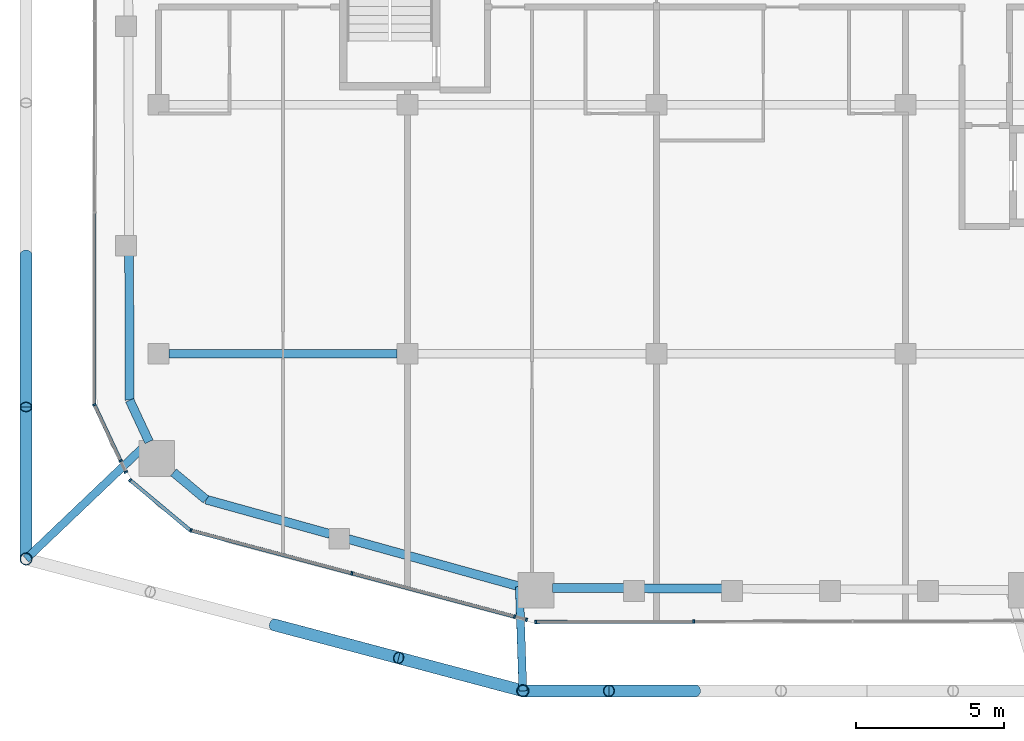
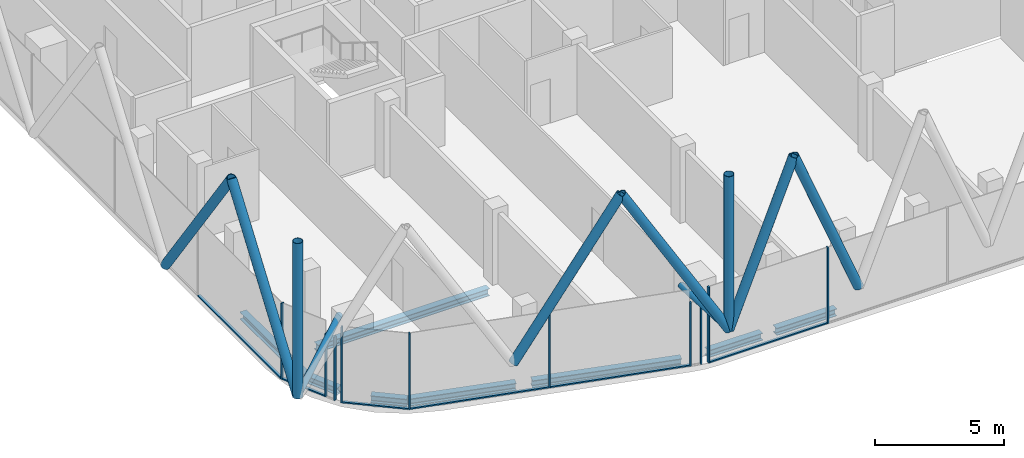
# One storey, part 2 of 27: 26 members, 8 beams, 7 elements without a shape of their own.
"""IFC4 building model written with IfcOpenShell, lengths in metres."""

from ifc_helpers import new_model, si_unit, direction, frame, origin, origin_2d, place, context, subcontext, project, spatial, rectangle, hollow_circle, i_section, extrude, material, layer, layer_set, material_profile, profile_set, type_object, element, aggregate, save


model = new_model("IFC4")

# Units and contexts
model_context = context("Model", 3, precision=1e-05, world=origin(), true_north=direction((0.0, 1.0)))
body_context = subcontext(model_context, "Body", "Model", "MODEL_VIEW")
ifc_project = project(units=[si_unit("LENGTHUNIT", "METRE"), si_unit("AREAUNIT", "SQUARE_METRE"), si_unit("VOLUMEUNIT", "CUBIC_METRE"), si_unit("PLANEANGLEUNIT", "RADIAN"), si_unit("MASSUNIT", "GRAM", prefix="KILO")], contexts=[model_context])

# Site, building, storey
site_placement = place(None, origin())
site = spatial("IfcSite", under=ifc_project, at=site_placement, CompositionType="ELEMENT")
building_placement = place(site_placement, origin())
building = spatial("IfcBuilding", under=site, at=building_placement, Name="Marenta Gate Hotel Tower", CompositionType="ELEMENT")
storey_placement = place(building_placement, frame((0.0, 0.0, 270.5)))
storey = spatial("IfcBuildingStorey", under=building, at=storey_placement, Name="L62", CompositionType="ELEMENT", Elevation=270.5)

# Members
ifc_material_1 = material(Name="Steel S355J2W", Category="steel")
ifc_material_profile_1 = material_profile(ifc_material_1, hollow_circle(Radius=0.203125, WallThickness=0.01611328125, at=origin_2d()), Name="CHS 406.4x16")
ifc_profile_set_1 = profile_set([ifc_material_profile_1], Name="Steel S355J2W")
member_type_1 = type_object("IfcMemberType", Name="Diagrid corner post Z4 CHS 406.4x16", PredefinedType="POST", material=ifc_profile_set_1)
for number, where, z_axis, x_axis, name in (
    (1, (-8.708984375, -36.570068359375, 3.139892578125), (0.0, 0.0, 1.0), (1.0, 0.0, 0.0), "L62-DR-4"),
    (2, (-25.469970703125, -32.123291015625, 3.139892578125), (0.0, 0.0, 1.0), (1.0, 0.0, 0.0), "L62-DR-5"),
):
    element("IfcMember", number, at=place(storey_placement, frame(where, z_axis=z_axis, x_axis=x_axis)), inside=storey, type_object=member_type_1, Name=name, PredefinedType="POST", context=body_context, shape_type="SweptSolid", body=[
        extrude(hollow_circle(Radius=0.203125, WallThickness=0.01611328125, at=origin_2d()), origin(), (0.0, 0.0, 1.0), 7.360107421875),
    ])
ifc_material_2 = material(Name="Steel S355J2W", Category="steel")
ifc_material_profile_2 = material_profile(ifc_material_2, hollow_circle(Radius=0.203125, WallThickness=0.02490234375, at=origin_2d()), Name="CHS 406.4x25")
ifc_profile_set_2 = profile_set([ifc_material_profile_2], Name="Steel S355J2W")
member_type_2 = type_object("IfcMemberType", Name="Diagrid diagonal Z4 CHS 406.4x25", PredefinedType="BRACE", material=ifc_profile_set_2)
for number, where, z_axis, x_axis, name in (
    (3, (-2.903076171875, -36.570068359375, 3.139892578125), (-0.373915980312, 0.0, 0.927462581276), (0.0, -1.0, 0.0), "L62-DG-19"),
    (4, (-8.708984375, -36.570068359375, 3.139892578125), (0.373943030937, 0.0, 0.927451675083), (0.0, 1.0, 0.0), "L62-DG-20"),
):
    element("IfcMember", number, at=place(storey_placement, frame(where, z_axis=z_axis, x_axis=x_axis)), inside=storey, type_object=member_type_2, Name=name, PredefinedType="BRACE", context=body_context, shape_type="SweptSolid", body=[
        extrude(hollow_circle(Radius=0.203125, WallThickness=0.02490234375, at=origin_2d()), origin(), (0.0, 0.0, 1.0), 7.763427734375),
    ])
member_1_placement = place(storey_placement, frame((-8.708984375, -36.570068359375, 3.139892578125), z_axis=(-0.498582883458, 0.132285391008, 0.85668879043), x_axis=(-0.256449730421, -0.966557569815, 0.0)))
element("IfcMember", 5, at=member_1_placement, inside=storey, type_object=member_type_2, Name="L62-DG-21", PredefinedType="BRACE", context=body_context, shape_type="SweptSolid", body=[
    extrude(hollow_circle(Radius=0.203125, WallThickness=0.02490234375, at=origin_2d()), origin(), (0.0, 0.0, 1.0), 8.40478515625),
])
member_2_placement = place(storey_placement, frame((-17.089599609375, -34.3466796875, 3.139892578125), z_axis=(0.498562971397, -0.132258766461, 0.856704489451), x_axis=(0.256411076507, 0.966567824751, 0.0)))
element("IfcMember", 6, at=member_2_placement, inside=storey, type_object=member_type_2, Name="L62-DG-22", PredefinedType="BRACE", context=body_context, shape_type="SweptSolid", body=[
    extrude(hollow_circle(Radius=0.203125, WallThickness=0.02490234375, at=origin_2d()), origin(), (0.0, 0.0, 1.0), 8.404541015625),
])
for number, where, z_axis, x_axis, name in (
    (7, (-25.469970703125, -32.123291015625, 3.139892578125), (0.0, 0.580218919795, 0.814460560808), (-1.0, 0.0, 0.0), "L62-DG-25"),
    (8, (-25.469970703125, -21.864501953125, 3.139892578125), (0.0, -0.580218919795, 0.814460560808), (1.0, 0.0, 0.0), "L62-DG-26"),
):
    element("IfcMember", number, at=place(storey_placement, frame(where, z_axis=z_axis, x_axis=x_axis)), inside=storey, type_object=member_type_2, Name=name, PredefinedType="BRACE", context=body_context, shape_type="SweptSolid", body=[
        extrude(hollow_circle(Radius=0.203125, WallThickness=0.02490234375, at=origin_2d()), origin(), (0.0, 0.0, 1.0), 8.84033203125),
    ])

# Beams
ifc_material_3 = material(Name="Steel S355", Category="steel")
ifc_material_profile_3 = material_profile(ifc_material_3, i_section(OverallWidth=0.300048828125, OverallDepth=0.340087890625, WebThickness=0.011962890625, FlangeThickness=0.021484375, FilletRadius=0.027099609375, at=origin_2d()), Name="HEB 340")
ifc_profile_set_3 = profile_set([ifc_material_profile_3], Name="Steel S355")
beam_type_1 = type_object("IfcBeamType", Name="Edge beam HEB 340", PredefinedType="SPANDREL", material=ifc_profile_set_3)
beam_1_placement = place(storey_placement, frame((-8.82763671875, -33.050048828125, -0.429931640625), z_axis=(-0.963628272095, 0.267246240794, 0.0), x_axis=(-0.267246240794, -0.963628272095, 0.0)))
element("IfcBeam", 9, at=beam_1_placement, inside=storey, type_object=beam_type_1, Name="L62-EB-1", PredefinedType="SPANDREL", context=body_context, shape_type="SweptSolid", body=[
    extrude(i_section(OverallWidth=0.300048828125, OverallDepth=0.340087890625, WebThickness=0.011962890625, FlangeThickness=0.021484375, FilletRadius=0.027099609375, at=origin_2d()), origin(), (0.0, 0.0, 1.0), 5.985595703125),
])
beam_2_placement = place(storey_placement, frame((-15.21826171875, -31.277587890625, -0.429931640625), z_axis=(-0.963621892072, 0.26726924462, 0.0), x_axis=(-0.26726924462, -0.963621892072, 0.0)))
element("IfcBeam", 10, at=beam_2_placement, inside=storey, type_object=beam_type_1, Name="L62-EB-2", PredefinedType="SPANDREL", context=body_context, shape_type="SweptSolid", body=[
    extrude(i_section(OverallWidth=0.300048828125, OverallDepth=0.340087890625, WebThickness=0.011962890625, FlangeThickness=0.021484375, FilletRadius=0.027099609375, at=origin_2d()), origin(), (0.0, 0.0, 1.0), 4.336181640625),
])
beam_3_placement = place(storey_placement, frame((-19.396728515625, -30.11865234375, -0.429931640625), z_axis=(-0.767142559017, 0.641476651286, 0.0), x_axis=(-0.641476651286, -0.767142559017, 0.0)))
element("IfcBeam", 11, at=beam_3_placement, inside=storey, type_object=beam_type_1, Name="L62-EB-3", PredefinedType="SPANDREL", context=body_context, shape_type="SweptSolid", body=[
    extrude(i_section(OverallWidth=0.300048828125, OverallDepth=0.340087890625, WebThickness=0.011962890625, FlangeThickness=0.021484375, FilletRadius=0.027099609375, at=origin_2d()), origin(), (0.0, 0.0, 1.0), 1.429931640625),
])
beam_4_placement = place(storey_placement, frame((-21.320068359375, -28.169189453125, -0.429931640625), z_axis=(-0.423265429814, 0.90600572621, 0.0), x_axis=(-0.90600572621, -0.423265429814, 0.0)))
element("IfcBeam", 12, at=beam_4_placement, inside=storey, type_object=beam_type_1, Name="L62-EB-4", PredefinedType="SPANDREL", context=body_context, shape_type="SweptSolid", body=[
    extrude(i_section(OverallWidth=0.300048828125, OverallDepth=0.340087890625, WebThickness=0.011962890625, FlangeThickness=0.021484375, FilletRadius=0.027099609375, at=origin_2d()), origin(), (0.0, 0.0, 1.0), 1.547607421875),
])
beam_5_placement = place(storey_placement, frame((-21.97509765625, -26.76708984375, -0.429931640625), z_axis=(-0.003334642021, 0.999994440066, 0.0), x_axis=(-0.999994440066, -0.003334642021, 0.0)))
element("IfcBeam", 13, at=beam_5_placement, inside=storey, type_object=beam_type_1, Name="L62-EB-5", PredefinedType="SPANDREL", context=body_context, shape_type="SweptSolid", body=[
    extrude(i_section(OverallWidth=0.300048828125, OverallDepth=0.340087890625, WebThickness=0.011962890625, FlangeThickness=0.021484375, FilletRadius=0.027099609375, at=origin_2d()), origin(), (0.0, 0.0, 1.0), 4.9052734375),
])
beam_6_placement = place(storey_placement, frame((-1.96337890625, -33.12353515625, -0.429931640625), z_axis=(-0.999988403309, 0.004815936881, 0.0), x_axis=(-0.004815936881, -0.999988403309, 0.0)))
element("IfcBeam", 14, at=beam_6_placement, inside=storey, type_object=beam_type_1, Name="L62-EB-34", PredefinedType="SPANDREL", context=body_context, shape_type="SweptSolid", body=[
    extrude(i_section(OverallWidth=0.300048828125, OverallDepth=0.340087890625, WebThickness=0.011962890625, FlangeThickness=0.021484375, FilletRadius=0.027099609375, at=origin_2d()), origin(), (0.0, 0.0, 1.0), 2.686767578125),
])
beam_7_placement = place(storey_placement, frame((-5.27001953125, -33.107666015625, -0.429931640625), z_axis=(-0.999988431664, 0.004810045568, 0.0), x_axis=(-0.004810045568, -0.999988431664, 0.0)))
element("IfcBeam", 15, at=beam_7_placement, inside=storey, type_object=beam_type_1, Name="L62-EB-35", PredefinedType="SPANDREL", context=body_context, shape_type="SweptSolid", body=[
    extrude(i_section(OverallWidth=0.300048828125, OverallDepth=0.340087890625, WebThickness=0.011962890625, FlangeThickness=0.021484375, FilletRadius=0.027099609375, at=origin_2d()), origin(), (0.0, 0.0, 1.0), 2.436279296875),
])

# Members
ifc_material_4 = material(Name="Steel S355J2W", Category="steel")
ifc_material_profile_4 = material_profile(ifc_material_4, hollow_circle(Radius=0.136474609375, WallThickness=0.012451171875, at=origin_2d()), Name="CHS 273x12.5")
ifc_profile_set_4 = profile_set([ifc_material_profile_4], Name="Steel S355J2W")
member_type_3 = type_object("IfcMemberType", Name="Floor tie CHS 273x12.5", PredefinedType="STRUT", material=ifc_profile_set_4)
member_3_placement = place(storey_placement, frame((-8.708984375, -36.570068359375, 3.139892578125), z_axis=(-0.033680158513, 0.999432662525, 0.0), x_axis=(-0.999432662525, -0.033680158513, 0.0)))
element("IfcMember", 16, at=member_3_placement, inside=storey, type_object=member_type_3, Name="L62-DR-10", PredefinedType="STRUT", context=body_context, shape_type="SweptSolid", body=[
    extrude(hollow_circle(Radius=0.136474609375, WallThickness=0.012451171875, at=origin_2d()), origin(), (0.0, 0.0, 1.0), 3.515625),
])
member_4_placement = place(storey_placement, frame((-25.469970703125, -32.123291015625, 3.139892578125), z_axis=(0.723997985509, 0.689802085369, 0.0), x_axis=(-0.689802085369, 0.723997985509, 0.0)))
element("IfcMember", 17, at=member_4_placement, inside=storey, type_object=member_type_3, Name="L62-DR-11", PredefinedType="STRUT", context=body_context, shape_type="SweptSolid", body=[
    extrude(hollow_circle(Radius=0.136474609375, WallThickness=0.012451171875, at=origin_2d()), origin(), (0.0, 0.0, 1.0), 5.725830078125),
])

# Beam
ifc_material_5 = material(Name="Steel S355", Category="steel")
ifc_material_profile_5 = material_profile(ifc_material_5, i_section(OverallWidth=0.300048828125, OverallDepth=0.340087890625, WebThickness=0.011962890625, FlangeThickness=0.021484375, FilletRadius=0.027099609375, at=origin_2d()), Name="HEB 340")
ifc_profile_set_5 = profile_set([ifc_material_profile_5], Name="Steel S355")
beam_type_2 = type_object("IfcBeamType", Name="Girder HEB 340", PredefinedType="BEAM", material=ifc_profile_set_5)
beam_8_placement = place(storey_placement, frame((-20.64990234375, -25.199951171875, -0.429931640625), z_axis=(1.0, 0.0, 0.0), x_axis=(0.0, 1.0, 0.0)))
element("IfcBeam", 18, at=beam_8_placement, inside=storey, type_object=beam_type_2, Name="L62-GD-1", PredefinedType="BEAM", context=body_context, shape_type="SweptSolid", body=[
    extrude(i_section(OverallWidth=0.300048828125, OverallDepth=0.340087890625, WebThickness=0.011962890625, FlangeThickness=0.021484375, FilletRadius=0.027099609375, at=origin_2d()), origin(), (0.0, 0.0, 1.0), 7.699951171875),
])

# Curtain wall, member
ifc_material_6 = material(Name="Tinted insulated glass in bronze anodised frame", Category="glass")
ifc_layer = layer(ifc_material_6, 0.1201171875)
ifc_layer_set = layer_set([ifc_layer], Name="Tinted insulated glass in bronze anodised frame")
curtain_wall_type = type_object("IfcCurtainWallType", Name="Tower unitised curtain wall CW1", PredefinedType="NOTDEFINED", material=ifc_layer_set)
curtain_wall_1_placement = place(storey_placement, origin())
curtain_wall_1 = element("IfcCurtainWall", 19, at=curtain_wall_1_placement, inside=storey, type_object=curtain_wall_type, Name="CW1 run G05", PredefinedType="NOTDEFINED")
ifc_material_7 = material(Name="Bronze anodised aluminium", Category="aluminium")
ifc_material_profile_6 = material_profile(ifc_material_7, rectangle(XDim=0.1201171875, YDim=0.06005859375, at=origin_2d()), Name="Mullion CW1 60x120 bronze anodised aluminium")
ifc_profile_set_6 = profile_set([ifc_material_profile_6], Name="Bronze anodised aluminium")
member_type_4 = type_object("IfcMemberType", Name="Mullion CW1 60x120 bronze anodised aluminium", PredefinedType="MULLION", material=ifc_profile_set_6)
member_5_placement = place(storey_placement, frame((-23.160400390625, -26.9208984375, 0.0), z_axis=(0.0, 0.0, 1.0), x_axis=(0.905967227867, 0.423347826298, 0.0)))
member_5 = element("IfcMember", 20, at=member_5_placement, type_object=member_type_4, Name="CW1 mullion 1", PredefinedType="MULLION", context=body_context, shape_type="SweptSolid", body=[
    extrude(rectangle(XDim=0.1201171875, YDim=0.06005859375, at=origin_2d()), origin(), (0.0, 0.0, 1.0), 3.60009765625),
])

# Curtain wall, members
curtain_wall_2_placement = place(storey_placement, origin())
curtain_wall_2 = element("IfcCurtainWall", 21, at=curtain_wall_2_placement, inside=storey, type_object=curtain_wall_type, Name="CW1 run G06", PredefinedType="NOTDEFINED")
member_6_placement = place(storey_placement, frame((-22.2783203125, -28.80859375, 0.0), z_axis=(0.0, 0.0, 1.0), x_axis=(0.905958459959, 0.423366589174, 0.0)))
member_6 = element("IfcMember", 22, at=member_6_placement, type_object=member_type_4, Name="CW1 mullion 1", PredefinedType="MULLION", context=body_context, shape_type="SweptSolid", body=[
    extrude(rectangle(XDim=0.1201171875, YDim=0.06005859375, at=origin_2d()), origin(), (0.0, 0.0, 1.0), 3.00048828125),
])
member_7_placement = place(storey_placement, frame((-22.101318359375, -29.187255859375, 0.0), z_axis=(0.0, 0.0, 1.0), x_axis=(0.905958459959, 0.423366589174, 0.0)))
member_7 = element("IfcMember", 23, at=member_7_placement, type_object=member_type_4, Name="CW1 mullion 2", PredefinedType="MULLION", context=body_context, shape_type="SweptSolid", body=[
    extrude(rectangle(XDim=0.1201171875, YDim=0.06005859375, at=origin_2d()), origin(), (0.0, 0.0, 1.0), 3.00048828125),
])
aggregate(curtain_wall_2, [member_6, member_7])

# Curtain wall, member
curtain_wall_3_placement = place(storey_placement, origin())
curtain_wall_3 = element("IfcCurtainWall", 24, at=curtain_wall_3_placement, inside=storey, type_object=curtain_wall_type, Name="CW1 run G07", PredefinedType="NOTDEFINED")
member_8_placement = place(storey_placement, frame((-21.9599609375, -29.4599609375, 0.0), z_axis=(0.0, 0.0, 1.0), x_axis=(0.641524739495, 0.767102345594, 0.0)))
member_8 = element("IfcMember", 25, at=member_8_placement, type_object=member_type_4, Name="CW1 mullion 1", PredefinedType="MULLION", context=body_context, shape_type="SweptSolid", body=[
    extrude(rectangle(XDim=0.1201171875, YDim=0.06005859375, at=origin_2d()), origin(), (0.0, 0.0, 1.0), 3.60009765625),
])

# Curtain wall, members
curtain_wall_4_placement = place(storey_placement, origin())
curtain_wall_4 = element("IfcCurtainWall", 26, at=curtain_wall_4_placement, inside=storey, type_object=curtain_wall_type, Name="CW1 run G08", PredefinedType="NOTDEFINED")
member_9_placement = place(storey_placement, frame((-19.90625, -31.160888671875, 0.0), z_axis=(0.0, 0.0, 1.0), x_axis=(0.257138553328, 0.966374546639, 0.0)))
member_9 = element("IfcMember", 27, at=member_9_placement, type_object=member_type_4, Name="CW1 mullion 1", PredefinedType="MULLION", context=body_context, shape_type="SweptSolid", body=[
    extrude(rectangle(XDim=0.1201171875, YDim=0.06005859375, at=origin_2d()), origin(), (0.0, 0.0, 1.0), 3.60009765625),
])
member_10_placement = place(storey_placement, frame((-14.477783203125, -32.605224609375, 0.0), z_axis=(0.0, 0.0, 1.0), x_axis=(0.257138553328, 0.966374546639, 0.0)))
member_10 = element("IfcMember", 28, at=member_10_placement, type_object=member_type_4, Name="CW1 mullion 2", PredefinedType="MULLION", context=body_context, shape_type="SweptSolid", body=[
    extrude(rectangle(XDim=0.1201171875, YDim=0.06005859375, at=origin_2d()), origin(), (0.0, 0.0, 1.0), 3.60009765625),
])

curtain_wall_5_placement = place(storey_placement, origin())
curtain_wall_5 = element("IfcCurtainWall", 29, at=curtain_wall_5_placement, inside=storey, type_object=curtain_wall_type, Name="CW1 run G09", PredefinedType="NOTDEFINED")
member_11_placement = place(storey_placement, frame((-8.991455078125, -34.065185546875, 0.0), z_axis=(0.0, 0.0, 1.0), x_axis=(0.257123460956, 0.966378562379, 0.0)))
member_11 = element("IfcMember", 30, at=member_11_placement, type_object=member_type_4, Name="CW1 mullion 1", PredefinedType="MULLION", context=body_context, shape_type="SweptSolid", body=[
    extrude(rectangle(XDim=0.1201171875, YDim=0.06005859375, at=origin_2d()), origin(), (0.0, 0.0, 1.0), 3.00048828125),
])
member_12_placement = place(storey_placement, frame((-8.592041015625, -34.17138671875, 0.0), z_axis=(0.0, 0.0, 1.0), x_axis=(0.257123460956, 0.966378562379, 0.0)))
member_12 = element("IfcMember", 31, at=member_12_placement, type_object=member_type_4, Name="CW1 mullion 2", PredefinedType="MULLION", context=body_context, shape_type="SweptSolid", body=[
    extrude(rectangle(XDim=0.1201171875, YDim=0.06005859375, at=origin_2d()), origin(), (0.0, 0.0, 1.0), 3.00048828125),
])
aggregate(curtain_wall_5, [member_11, member_12])

curtain_wall_6_placement = place(storey_placement, origin())
curtain_wall_6 = element("IfcCurtainWall", 32, at=curtain_wall_6_placement, inside=storey, type_object=curtain_wall_type, Name="CW1 run G10", PredefinedType="NOTDEFINED")
member_13_placement = place(storey_placement, frame((-8.276123046875, -34.247314453125, 0.0), z_axis=(0.0, 0.0, 1.0), x_axis=(-0.002064133083, 0.999997869675, 0.0)))
member_13 = element("IfcMember", 33, at=member_13_placement, type_object=member_type_4, Name="CW1 mullion 1", PredefinedType="MULLION", context=body_context, shape_type="SweptSolid", body=[
    extrude(rectangle(XDim=0.1201171875, YDim=0.06005859375, at=origin_2d()), origin(), (0.0, 0.0, 1.0), 3.60009765625),
])
member_14_placement = place(storey_placement, frame((-2.944580078125, -34.236328125, 0.0), z_axis=(0.0, 0.0, 1.0), x_axis=(-0.002064133083, 0.999997869675, 0.0)))
member_14 = element("IfcMember", 34, at=member_14_placement, type_object=member_type_4, Name="CW1 mullion 2", PredefinedType="MULLION", context=body_context, shape_type="SweptSolid", body=[
    extrude(rectangle(XDim=0.1201171875, YDim=0.06005859375, at=origin_2d()), origin(), (0.0, 0.0, 1.0), 3.60009765625),
])

# Curtain wall, member
curtain_wall_7_placement = place(storey_placement, origin())
curtain_wall_7 = element("IfcCurtainWall", 35, at=curtain_wall_7_placement, inside=storey, type_object=curtain_wall_type, Name="CW1 run G04", PredefinedType="NOTDEFINED")
ifc_material_8 = material(Name="Bronze anodised aluminium", Category="aluminium")
ifc_material_profile_7 = material_profile(ifc_material_8, rectangle(XDim=0.1201171875, YDim=0.06005859375, at=origin_2d()), Name="Transom CW1 60x120 bronze anodised aluminium")
ifc_profile_set_7 = profile_set([ifc_material_profile_7], Name="Bronze anodised aluminium")
member_type_5 = type_object("IfcMemberType", Name="Transom CW1 60x120 bronze anodised aluminium", PredefinedType="USERDEFINED", material=ifc_profile_set_7)
member_15_placement = place(storey_placement, frame((-23.162841796875, -20.4638671875, 0.030029296875), z_axis=(-0.001594712632, -0.999998728445, 0.0), x_axis=(0.999998728445, -0.001594712632, 0.0)))
member_15 = element("IfcMember", 36, at=member_15_placement, type_object=member_type_5, Name="CW1 transom 6.1", ObjectType="TRANSOM", PredefinedType="USERDEFINED", context=body_context, shape_type="SweptSolid", body=[
    extrude(rectangle(XDim=0.1201171875, YDim=0.06005859375, at=origin_2d()), origin(), (0.0, 0.0, 1.0), 6.429931640625),
])
aggregate(curtain_wall_7, [member_15])

# Member
member_16_placement = place(storey_placement, frame((-23.147705078125, -26.9482421875, 0.030029296875), z_axis=(0.423360961969, -0.905961089606, 0.0), x_axis=(0.905961089606, 0.423360961969, 0.0)))
member_16 = element("IfcMember", 37, at=member_16_placement, type_object=member_type_5, Name="CW1 transom 1.1", ObjectType="TRANSOM", PredefinedType="USERDEFINED", context=body_context, shape_type="SweptSolid", body=[
    extrude(rectangle(XDim=0.1201171875, YDim=0.06005859375, at=origin_2d()), origin(), (0.0, 0.0, 1.0), 2.0234375),
])

aggregate(curtain_wall_1, [member_5, member_16])

member_17_placement = place(storey_placement, frame((-21.936767578125, -29.479248046875, 0.030029296875), z_axis=(0.767100312603, -0.641527170433, 0.0), x_axis=(0.641527170433, 0.767100312603, 0.0)))
member_17 = element("IfcMember", 38, at=member_17_placement, type_object=member_type_5, Name="CW1 transom 1.1", ObjectType="TRANSOM", PredefinedType="USERDEFINED", context=body_context, shape_type="SweptSolid", body=[
    extrude(rectangle(XDim=0.1201171875, YDim=0.06005859375, at=origin_2d()), origin(), (0.0, 0.0, 1.0), 2.609130859375),
])

aggregate(curtain_wall_3, [member_8, member_17])

member_18_placement = place(storey_placement, frame((-19.877197265625, -31.16845703125, 0.030029296875), z_axis=(0.966364606803, -0.257175906179, 0.0), x_axis=(0.257175906179, 0.966364606803, 0.0)))
member_18 = element("IfcMember", 39, at=member_18_placement, type_object=member_type_5, Name="CW1 transom 1.1", ObjectType="TRANSOM", PredefinedType="USERDEFINED", context=body_context, shape_type="SweptSolid", body=[
    extrude(rectangle(XDim=0.1201171875, YDim=0.06005859375, at=origin_2d()), origin(), (0.0, 0.0, 1.0), 5.557373046875),
])

member_19_placement = place(storey_placement, frame((-14.448974609375, -32.613037109375, 0.030029296875), z_axis=(0.966379060556, -0.257121588588, 0.0), x_axis=(0.257121588588, 0.966379060556, 0.0)))
member_19 = element("IfcMember", 40, at=member_19_placement, type_object=member_type_5, Name="CW1 transom 2.1", ObjectType="TRANSOM", PredefinedType="USERDEFINED", context=body_context, shape_type="SweptSolid", body=[
    extrude(rectangle(XDim=0.1201171875, YDim=0.06005859375, at=origin_2d()), origin(), (0.0, 0.0, 1.0), 5.617431640625),
])

aggregate(curtain_wall_4, [member_9, member_10, member_18, member_19])

member_20_placement = place(storey_placement, frame((-8.24609375, -34.247314453125, 0.030029296875), z_axis=(0.99999782826, 0.002084100698, 0.0), x_axis=(-0.002084100698, 0.99999782826, 0.0)))
member_20 = element("IfcMember", 41, at=member_20_placement, type_object=member_type_5, Name="CW1 transom 1.1", ObjectType="TRANSOM", PredefinedType="USERDEFINED", context=body_context, shape_type="SweptSolid", body=[
    extrude(rectangle(XDim=0.1201171875, YDim=0.06005859375, at=origin_2d()), origin(), (0.0, 0.0, 1.0), 5.271484375),
])

aggregate(curtain_wall_6, [member_13, member_14, member_20])

save(model, "model.ifc")
